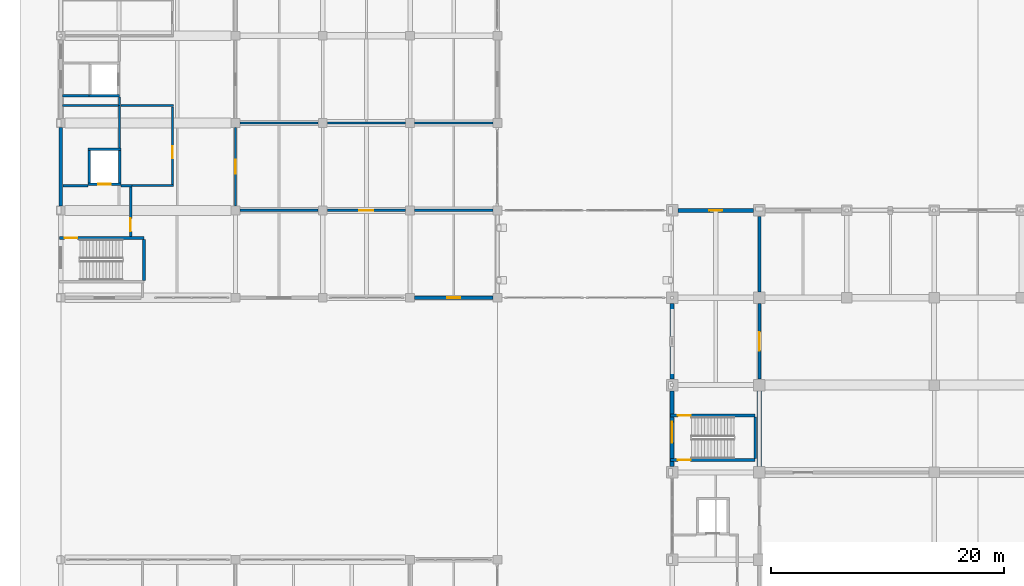
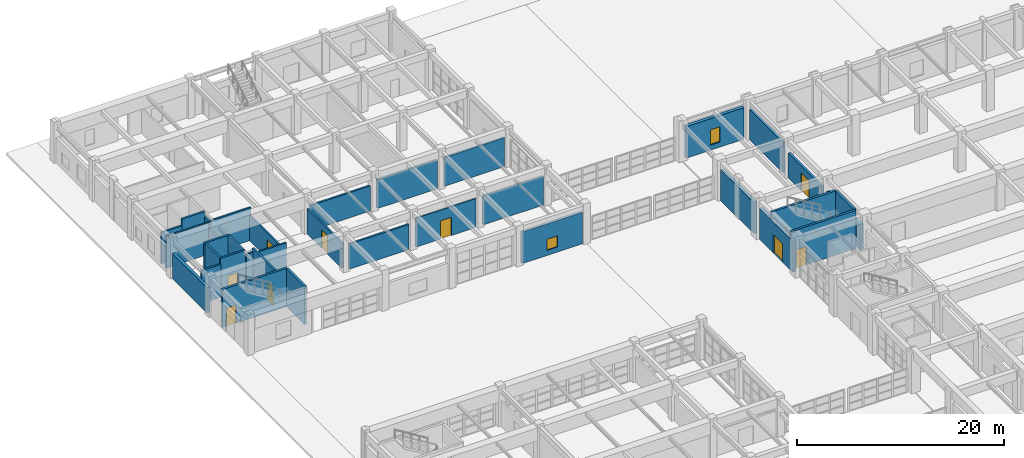
# One storey, part 90 of 122: 35 walls, 10 doors, 2 windows, 12 openings.
"""IFC4 building model written with IfcOpenShell, lengths in metres."""

import ifcopenshell
import ifcopenshell.guid

model = None  # the IFC model being written
_history = None  # IfcOwnerHistory: only IFC2X3 demands one
_inside = {}  # id of a spatial element -> (the spatial element, [elements in it])
_under = {}  # id of a project, library or spatial element -> (it, [spatial elements below it])
_declared = {}  # id of a project -> (the project, [libraries it declares])
_typed = {}  # id of a type object -> (the type object, [elements of that type])
_made_of = {}  # id of a material, layer set ... -> (it, [elements and type objects made of it])


def new_model(schema):
    """Start an empty IFC model of exactly this schema.

    Asked for "IFC4X3", IfcOpenShell would pick the latest addendum, in which some entities
    have other attributes; the version numbers below select the first issue.
    IFC2X3 requires an IfcOwnerHistory on every rooted entity: one is made here for all.
    """
    global model, _history
    if schema == "IFC4X3":
        model = ifcopenshell.file(schema_version=(4, 3, 0, 0))
    else:
        model = ifcopenshell.file(schema=schema)
    _inside.clear()
    _under.clear()
    _declared.clear()
    _typed.clear()
    _made_of.clear()
    _history = None
    if model.schema == "IFC2X3":
        org = make("IfcOrganization", Name="unknown")
        user = make(
            "IfcPersonAndOrganization",
            ThePerson=make("IfcPerson", FamilyName="unknown"),
            TheOrganization=org,
        )
        app = make(
            "IfcApplication",
            ApplicationDeveloper=org,
            Version="unknown",
            ApplicationFullName="unknown",
            ApplicationIdentifier="unknown",
        )
        _history = make(
            "IfcOwnerHistory",
            OwningUser=user,
            OwningApplication=app,
            ChangeAction="ADDED",
            CreationDate=0,
        )
    return model


def make(cls, **values):
    """One entity of the class cls with the attributes given. An attribute that is None is left unset."""
    return model.create_entity(
        cls, **{name: value for name, value in values.items() if value is not None}
    )


def rooted(cls, **values):
    """An entity with a GlobalId (a new one), such as an element, a storey or a relation."""
    return make(cls, GlobalId=ifcopenshell.guid.new(), OwnerHistory=_history, **values)


def si_unit(unit_type, name, prefix=None):
    """IfcSIUnit, for example si_unit("LENGTHUNIT", "METRE", prefix="MILLI")."""
    return make("IfcSIUnit", UnitType=unit_type, Prefix=prefix, Name=name)


def assignment(units):
    """IfcUnitAssignment: the units of a project."""
    return None if units is None else make("IfcUnitAssignment", Units=units)


def point(xyz):
    """IfcCartesianPoint."""
    return None if xyz is None else make("IfcCartesianPoint", Coordinates=xyz)


def direction(xyz):
    """IfcDirection."""
    return None if xyz is None else make("IfcDirection", DirectionRatios=xyz)


def frame(location, z_axis=None, x_axis=None):
    """IfcAxis2Placement3D, a coordinate frame: its origin and axes. An axis left out is left unset."""
    return make(
        "IfcAxis2Placement3D",
        Location=point(location),
        Axis=direction(z_axis),
        RefDirection=direction(x_axis),
    )


def frame_2d(location, x_axis=None):
    """IfcAxis2Placement2D, a coordinate frame in the plane: its origin and x axis."""
    return make(
        "IfcAxis2Placement2D", Location=point(location), RefDirection=direction(x_axis)
    )


def origin():
    """The frame at (0, 0, 0) with its axes left unset."""
    return frame((0.0, 0.0, 0.0))


def place(relative_to, where):
    """IfcLocalPlacement: puts the frame where relative to a parent placement (None: the world)."""
    return make(
        "IfcLocalPlacement", PlacementRelTo=relative_to, RelativePlacement=where
    )


def context(
    kind, dimensions, precision=None, world=None, true_north=None, identifier=None
):
    """IfcGeometricRepresentationContext, for example the 3D "Model" context."""
    return make(
        "IfcGeometricRepresentationContext",
        ContextIdentifier=identifier,
        ContextType=kind,
        CoordinateSpaceDimension=dimensions,
        Precision=precision,
        WorldCoordinateSystem=world,
        TrueNorth=true_north,
    )


def subcontext(parent, identifier, kind, view, scale=None):
    """IfcGeometricRepresentationSubContext, for example "Body" below "Model"."""
    return make(
        "IfcGeometricRepresentationSubContext",
        ContextIdentifier=identifier,
        ContextType=kind,
        ParentContext=parent,
        TargetScale=scale,
        TargetView=view,
    )


def project(units=None, contexts=None):
    """IfcProject with its units and contexts."""
    return rooted(
        "IfcProject",
        Name="project",
        RepresentationContexts=contexts,
        UnitsInContext=assignment(units),
    )


def spatial(cls, under=None, at=None, **own):
    """A site, building, storey or space (cls), placed at a placement, below another one or the project."""
    s = rooted(cls, ObjectPlacement=at, **own)
    if under is not None:
        _under.setdefault(under.id(), (under, []))[1].append(s)
    return s


def profile(cls, at=None, kind="AREA", **sizes):
    """A parametric profile (cls). Its sizes go by their IFC names, for example OverallWidth=200.0."""
    return make(cls, ProfileType=kind, Position=at, **sizes)


def rectangle(**sizes):
    """IfcRectangleProfileDef."""
    return profile("IfcRectangleProfileDef", **sizes)


def extrude(swept, where, along, depth):
    """IfcExtrudedAreaSolid: the profile swept, set in the frame where, extruded along a direction by depth."""
    return make(
        "IfcExtrudedAreaSolid",
        SweptArea=swept,
        Position=where,
        ExtrudedDirection=direction(along),
        Depth=depth,
    )


def shape(context_of_items, identifier, shape_type, items):
    """IfcShapeRepresentation: the items that make up one representation, for example the "Body"."""
    return make(
        "IfcShapeRepresentation",
        ContextOfItems=context_of_items,
        RepresentationIdentifier=identifier,
        RepresentationType=shape_type,
        Items=items,
    )


def material(Name=None, Category=None):
    """IfcMaterial."""
    return make("IfcMaterial", Name=Name, Category=Category)


def layer(
    of_material, thickness, ventilated=None, Name=None, Category=None, Priority=None
):
    """IfcMaterialLayer: one layer of a wall or slab, of a material (None: an air gap)."""
    return make(
        "IfcMaterialLayer",
        Material=of_material,
        LayerThickness=thickness,
        IsVentilated=ventilated,
        Name=Name,
        Category=Category,
        Priority=Priority,
    )


def layer_set(layers, Name=None):
    """IfcMaterialLayerSet."""
    return make("IfcMaterialLayerSet", MaterialLayers=layers, LayerSetName=Name)


def made_of(thing, what):
    """Note that an element or type object is made of a material, layer set ...; save() writes the relation."""
    if what is not None:
        _made_of.setdefault(what.id(), (what, []))[1].append(thing)
    return thing


def type_object(cls, material=None, **own):
    """A type object (cls), such as IfcWallType, which elements share."""
    return made_of(rooted(cls, **own), material)


def element(
    cls,
    number,
    at=None,
    inside=None,
    cuts=None,
    type_object=None,
    material=None,
    context=None,
    identifier="Body",
    shape_type=None,
    held_by="IfcProductDefinitionShape",
    body=None,
    shapes=None,
    **own,
):
    """One element of the class cls, such as IfcWall. Its Tag is "e" and its number.

    at: its placement. inside: the storey or other place that contains it. cuts: it is an
    opening in that element (IfcRelVoidsElement). A single representation is given by context,
    identifier, shape_type and body (its items); several are given by shapes. held_by: the class
    of the entity that holds the representations. save() writes the other relations.
    """
    e = rooted(cls, Tag="e%d" % number, ObjectPlacement=at, **own)
    if body is not None:
        shapes = [shape(context, identifier, shape_type, body)]
    if shapes is not None:
        e.Representation = make(held_by, Representations=shapes)
    if inside is not None:
        _inside.setdefault(inside.id(), (inside, []))[1].append(e)
    if cuts is not None:
        rooted(
            "IfcRelVoidsElement", RelatingBuildingElement=cuts, RelatedOpeningElement=e
        )
    if type_object is not None:
        _typed.setdefault(type_object.id(), (type_object, []))[1].append(e)
    return made_of(e, material)


def fill(opening, filler):
    """IfcRelFillsElement: the door or window that sits in an opening."""
    return rooted(
        "IfcRelFillsElement",
        RelatingOpeningElement=opening,
        RelatedBuildingElement=filler,
    )


def aggregate(whole, parts):
    """IfcRelAggregates: a whole, such as a stair, and the parts it consists of."""
    return rooted("IfcRelAggregates", RelatingObject=whole, RelatedObjects=parts)


def save(model, path):
    """Write the relations noted so far, then the file.

    IfcRelAggregates (storeys below a building ...), IfcRelContainedInSpatialStructure (elements
    in a storey), IfcRelDefinesByType, IfcRelAssociatesMaterial and IfcRelDeclares: one each for
    every whole, place, type object, material and project.
    """
    for whole, parts in _under.values():
        aggregate(whole, parts)
    for where, things in _inside.values():
        rooted(
            "IfcRelContainedInSpatialStructure",
            RelatedElements=things,
            RelatingStructure=where,
        )
    for kind, things in _typed.values():
        rooted("IfcRelDefinesByType", RelatedObjects=things, RelatingType=kind)
    for what, things in _made_of.values():
        rooted("IfcRelAssociatesMaterial", RelatedObjects=things, RelatingMaterial=what)
    for by, libraries in _declared.values():
        rooted("IfcRelDeclares", RelatingContext=by, RelatedDefinitions=libraries)
    model.write(path)


model = new_model("IFC4")

# Units and contexts
model_context = context("Model", 3, precision=1e-05, world=origin(), true_north=direction((0.0, 1.0)))
body_context = subcontext(model_context, "Body", "Model", "MODEL_VIEW")
ifc_project = project(units=[si_unit("LENGTHUNIT", "METRE"), si_unit("AREAUNIT", "SQUARE_METRE"), si_unit("VOLUMEUNIT", "CUBIC_METRE"), si_unit("PLANEANGLEUNIT", "RADIAN"), si_unit("MASSUNIT", "GRAM", prefix="KILO")], contexts=[model_context])

# Site, building, storey
site_placement = place(None, origin())
site = spatial("IfcSite", under=ifc_project, at=site_placement, CompositionType="ELEMENT")
building_placement = place(site_placement, origin())
building = spatial("IfcBuilding", under=site, at=building_placement, Name="Qasida Concert Hall", CompositionType="ELEMENT")
storey_placement = place(building_placement, origin())
storey = spatial("IfcBuildingStorey", under=building, at=storey_placement, Name="L00", CompositionType="ELEMENT", Elevation=0.0)

# Wall
ifc_material_1 = material(Name="Concrete C40/50", Category="concrete")
ifc_layer_1 = layer(ifc_material_1, 0.219970703125, Name="Concrete C40/50")
ifc_layer_set_1 = layer_set([ifc_layer_1], Name="Concrete C40/50")
wall_type_1 = type_object("IfcWallType", Name="WL-CW-220", PredefinedType="SOLIDWALL", material=ifc_layer_set_1)
wall_1_placement = place(storey_placement, frame((2.43994140625, 92.35009765625, 0.0), z_axis=(0.0, 0.0, 1.0), x_axis=(1.0, 0.0, 0.0)))
element("IfcWall", 1, at=wall_1_placement, inside=storey, type_object=wall_type_1, Name="L00 LF-07 lift shaft wall S", PredefinedType="SOLIDWALL", context=body_context, shape_type="SweptSolid", body=[
    extrude(rectangle(XDim=2.6201171875, YDim=0.219970703125, at=frame_2d((1.31005859375, 0.0))), origin(), (0.0, 0.0, 1.0), 4.5),
])

# Wall, opening, door
wall_2_placement = place(storey_placement, frame((2.340087890625, 84.75, 0.0), z_axis=(0.0, 0.0, 1.0), x_axis=(1.0, 0.0, 0.0)))
wall_2 = element("IfcWall", 2, at=wall_2_placement, inside=storey, type_object=wall_type_1, Name="L00 LF-08 lift shaft wall S", PredefinedType="SOLIDWALL", context=body_context, shape_type="SweptSolid", body=[
    extrude(rectangle(XDim=2.81982421875, YDim=0.219970703125, at=frame_2d((1.409912109375, 0.0))), origin(), (0.0, 0.0, 1.0), 4.5),
])
opening_1_placement = place(wall_2_placement, frame((0.860107421875, 0.0, 0.0)))
opening_1 = element("IfcOpeningElement", 3, at=opening_1_placement, cuts=wall_2, Name="Opening LD-110", PredefinedType="OPENING", context=body_context, shape_type="SweptSolid", body=[
    extrude(rectangle(XDim=1.10009765625, YDim=2.14990234375, at=frame_2d((0.550048828125, 1.074951171875))), frame((0.0, 0.119873046875, 0.0), z_axis=(0.0, -1.0, 0.0), x_axis=(1.0, 0.0, 0.0)), (0.0, 0.0, 1.0), 0.239990234375),
])
ifc_material_2 = material(Name="Firefighting lift sliding landing door", Category="steel")
door_type_1 = type_object("IfcDoorType", Name="LD-110", OperationType="SLIDING_TO_LEFT", PredefinedType="DOOR", material=ifc_material_2)
door_1_placement = place(opening_1_placement, origin())
door_1 = element("IfcDoor", 4, at=door_1_placement, inside=storey, type_object=door_type_1, Name="Lift landing door LF-08 L00", OperationType="SLIDING_TO_LEFT", OverallHeight=2.14990234375, OverallWidth=1.10009765625, PredefinedType="DOOR", context=body_context, shape_type="SweptSolid", body=[
    extrude(rectangle(XDim=1.10009765625, YDim=2.14990234375, at=frame_2d((0.550048828125, 1.074951171875))), frame((0.0, 0.02490234375, 0.0), z_axis=(0.0, -1.0, 0.0), x_axis=(1.0, 0.0, 0.0)), (0.0, 0.0, 1.0), 0.050048828125),
])
fill(opening_1, door_1)

# Walls
wall_3_placement = place(storey_placement, frame((2.340087890625, 87.75, 0.0), z_axis=(0.0, 0.0, 1.0), x_axis=(1.0, 0.0, 0.0)))
element("IfcWall", 5, at=wall_3_placement, inside=storey, type_object=wall_type_1, Name="L00 LF-08 lift shaft wall N", PredefinedType="SOLIDWALL", context=body_context, shape_type="SweptSolid", body=[
    extrude(rectangle(XDim=2.81982421875, YDim=0.219970703125, at=frame_2d((1.409912109375, 0.0))), origin(), (0.0, 0.0, 1.0), 4.5),
])
for number, where, z_axis, x_axis, name in (
    (6, (2.449951171875, 84.860107421875, 0.0), (0.0, 0.0, 1.0), (0.0, 1.0, 0.0), "L00 LF-08 lift shaft wall W"),
    (7, (5.050048828125, 84.860107421875, 0.0), (0.0, 0.0, 1.0), (0.0, 1.0, 0.0), "L00 LF-08 lift shaft wall E"),
):
    element("IfcWall", number, at=place(storey_placement, frame(where, z_axis=z_axis, x_axis=x_axis)), inside=storey, type_object=wall_type_1, Name=name, PredefinedType="SOLIDWALL", context=body_context, shape_type="SweptSolid", body=[
        extrude(rectangle(XDim=2.77978515625, YDim=0.219970703125, at=frame_2d((1.389892578125, 0.0))), origin(), (0.0, 0.0, 1.0), 4.5),
    ])

# Wall, opening, door
wall_4_placement = place(storey_placement, frame((6.0, 80.260009765625, 0.0), z_axis=(0.0, 0.0, 1.0), x_axis=(0.0, 1.0, 0.0)))
wall_4 = element("IfcWall", 8, at=wall_4_placement, inside=storey, type_object=wall_type_1, Name="L00 LF-08 firefighting lobby wall", PredefinedType="SOLIDWALL", context=body_context, shape_type="SweptSolid", body=[
    extrude(rectangle(XDim=4.369873046875, YDim=0.219970703125, at=frame_2d((2.18505859375, 0.0))), origin(), (0.0, 0.0, 1.0), 4.5),
])
opening_2_placement = place(wall_4_placement, frame((0.449951171875, 0.0, 0.0)))
opening_2 = element("IfcOpeningElement", 9, at=opening_2_placement, cuts=wall_4, Name="Opening FD-110", PredefinedType="OPENING", context=body_context, shape_type="SweptSolid", body=[
    extrude(rectangle(XDim=1.10009765625, YDim=2.14990234375, at=frame_2d((0.550048828125, 1.074951171875))), frame((0.0, 0.119873046875, 0.0), z_axis=(0.0, -1.0, 0.0), x_axis=(1.0, 0.0, 0.0)), (0.0, 0.0, 1.0), 0.239990234375),
])
ifc_material_3 = material(Name="Steel fire-rated stair/lobby door set", Category="steel")
door_type_2 = type_object("IfcDoorType", Name="FD-110", OperationType="NOTDEFINED", PredefinedType="DOOR", material=ifc_material_3)
door_2_placement = place(opening_2_placement, origin())
door_2 = element("IfcDoor", 10, at=door_2_placement, inside=storey, type_object=door_type_2, Name="L00 LF-08 firefighting lobby fire door", OperationType="SINGLE_SWING_LEFT", OverallHeight=2.14990234375, OverallWidth=1.10009765625, PredefinedType="DOOR", context=body_context, shape_type="SweptSolid", body=[
    extrude(rectangle(XDim=1.10009765625, YDim=2.14990234375, at=frame_2d((0.550048828125, 1.074951171875))), frame((0.0, 0.02490234375, 0.0), z_axis=(0.0, -1.0, 0.0), x_axis=(1.0, 0.0, 0.0)), (0.0, 0.0, 1.0), 0.050048828125),
])
fill(opening_2, door_2)

ifc_layer_2 = layer(ifc_material_1, 0.25, Name="Concrete C40/50")
ifc_layer_set_2 = layer_set([ifc_layer_2], Name="Concrete C40/50")
wall_type_2 = type_object("IfcWallType", Name="WL-CW-250", PredefinedType="SOLIDWALL", material=ifc_layer_set_2)
wall_5_placement = place(storey_placement, frame((-0.1201171875, 80.125, 0.0), z_axis=(0.0, 0.0, 1.0), x_axis=(1.0, 0.0, 0.0)))
wall_5 = element("IfcWall", 11, at=wall_5_placement, inside=storey, type_object=wall_type_2, Name="L00 ST-05 stairwell wall N", PredefinedType="SOLIDWALL", context=body_context, shape_type="SweptSolid", body=[
    extrude(rectangle(XDim=7.260009765625, YDim=0.25, at=frame_2d((3.6298828125, 0.0))), origin(), (0.0, 0.0, 1.0), 4.5),
])
opening_3_placement = place(wall_5_placement, frame((0.449951171875, 0.0, 0.0)))
opening_3 = element("IfcOpeningElement", 12, at=opening_3_placement, cuts=wall_5, Name="Opening FD-110", PredefinedType="OPENING", context=body_context, shape_type="SweptSolid", body=[
    extrude(rectangle(XDim=1.10009765625, YDim=2.14990234375, at=frame_2d((0.550048828125, 1.074951171875))), frame((0.0, 0.135009765625, 0.0), z_axis=(0.0, -1.0, 0.0), x_axis=(1.0, 0.0, 0.0)), (0.0, 0.0, 1.0), 0.27001953125),
])
door_3_placement = place(opening_3_placement, origin())
door_3 = element("IfcDoor", 13, at=door_3_placement, inside=storey, type_object=door_type_2, Name="L00 ST-05 rated stair door", OperationType="SINGLE_SWING_RIGHT", OverallHeight=2.14990234375, OverallWidth=1.10009765625, PredefinedType="DOOR", context=body_context, shape_type="SweptSolid", body=[
    extrude(rectangle(XDim=1.10009765625, YDim=2.14990234375, at=frame_2d((0.550048828125, 1.074951171875))), frame((0.0, 0.02490234375, 0.0), z_axis=(0.0, -1.0, 0.0), x_axis=(1.0, 0.0, 0.0)), (0.0, 0.0, 1.0), 0.050048828125),
])
fill(opening_3, door_3)

# Wall
wall_6_placement = place(storey_placement, frame((7.14501953125, 76.5, 0.0), z_axis=(0.0, 0.0, 1.0), x_axis=(0.0, 1.0, 0.0)))
element("IfcWall", 14, at=wall_6_placement, inside=storey, type_object=wall_type_2, Name="L00 ST-05 stairwell wall E", PredefinedType="SOLIDWALL", context=body_context, shape_type="SweptSolid", body=[
    extrude(rectangle(XDim=3.5, YDim=0.25, at=frame_2d((1.75, 0.0))), origin(), (0.0, 0.0, 1.0), 4.5),
])

# Wall, opening, door
wall_7_placement = place(storey_placement, frame((52.3798828125, 61.074951171875, 0.0), z_axis=(0.0, 0.0, 1.0), x_axis=(1.0, 0.0, 0.0)))
wall_7 = element("IfcWall", 15, at=wall_7_placement, inside=storey, type_object=wall_type_2, Name="L00 ST-11 stairwell wall S", PredefinedType="SOLIDWALL", context=body_context, shape_type="SweptSolid", body=[
    extrude(rectangle(XDim=7.260009765625, YDim=0.25, at=frame_2d((3.6298828125, 0.0))), origin(), (0.0, 0.0, 1.0), 4.5),
])
opening_4_placement = place(wall_7_placement, frame((0.6201171875, 0.0, 0.0)))
opening_4 = element("IfcOpeningElement", 16, at=opening_4_placement, cuts=wall_7, Name="Opening FD-110", PredefinedType="OPENING", context=body_context, shape_type="SweptSolid", body=[
    extrude(rectangle(XDim=1.10009765625, YDim=2.14990234375, at=frame_2d((0.550048828125, 1.074951171875))), frame((0.0, 0.135009765625, 0.0), z_axis=(0.0, -1.0, 0.0), x_axis=(1.0, 0.0, 0.0)), (0.0, 0.0, 1.0), 0.27001953125),
])
door_4_placement = place(opening_4_placement, origin())
door_4 = element("IfcDoor", 17, at=door_4_placement, inside=storey, type_object=door_type_2, Name="L00 ST-11 rated stair door", OperationType="SINGLE_SWING_LEFT", OverallHeight=2.14990234375, OverallWidth=1.10009765625, PredefinedType="DOOR", context=body_context, shape_type="SweptSolid", body=[
    extrude(rectangle(XDim=1.10009765625, YDim=2.14990234375, at=frame_2d((0.550048828125, 1.074951171875))), frame((0.0, 0.02490234375, 0.0), z_axis=(0.0, -1.0, 0.0), x_axis=(1.0, 0.0, 0.0)), (0.0, 0.0, 1.0), 0.050048828125),
])
fill(opening_4, door_4)

wall_8_placement = place(storey_placement, frame((52.3798828125, 64.885009765625, 0.0), z_axis=(0.0, 0.0, 1.0), x_axis=(1.0, 0.0, 0.0)))
wall_8 = element("IfcWall", 18, at=wall_8_placement, inside=storey, type_object=wall_type_2, Name="L00 ST-11 stairwell wall N", PredefinedType="SOLIDWALL", context=body_context, shape_type="SweptSolid", body=[
    extrude(rectangle(XDim=7.260009765625, YDim=0.25, at=frame_2d((3.6298828125, 0.0))), origin(), (0.0, 0.0, 1.0), 4.5),
])
opening_5_placement = place(wall_8_placement, frame((0.6201171875, 0.0, 0.0)))
opening_5 = element("IfcOpeningElement", 19, at=opening_5_placement, cuts=wall_8, Name="Opening FD-110", PredefinedType="OPENING", context=body_context, shape_type="SweptSolid", body=[
    extrude(rectangle(XDim=1.10009765625, YDim=2.14990234375, at=frame_2d((0.550048828125, 1.074951171875))), frame((0.0, 0.135009765625, 0.0), z_axis=(0.0, -1.0, 0.0), x_axis=(1.0, 0.0, 0.0)), (0.0, 0.0, 1.0), 0.27001953125),
])
door_5_placement = place(opening_5_placement, frame((1.10009765625, 0.0, 0.0), z_axis=(0.0, 0.0, 1.0), x_axis=(-1.0, 0.0, 0.0)))
door_5 = element("IfcDoor", 20, at=door_5_placement, inside=storey, type_object=door_type_2, Name="L00 ST-11 rated stair door", OperationType="SINGLE_SWING_RIGHT", OverallHeight=2.14990234375, OverallWidth=1.10009765625, PredefinedType="DOOR", context=body_context, shape_type="SweptSolid", body=[
    extrude(rectangle(XDim=1.10009765625, YDim=2.14990234375, at=frame_2d((0.550048828125, 1.074951171875))), frame((0.0, 0.02490234375, 0.0), z_axis=(0.0, -1.0, 0.0), x_axis=(1.0, 0.0, 0.0)), (0.0, 0.0, 1.0), 0.050048828125),
])
fill(opening_5, door_5)

# Wall
wall_9_placement = place(storey_placement, frame((59.64501953125, 61.199951171875, 0.0), z_axis=(0.0, 0.0, 1.0), x_axis=(0.0, 1.0, 0.0)))
element("IfcWall", 21, at=wall_9_placement, inside=storey, type_object=wall_type_2, Name="L00 ST-11 stairwell wall E", PredefinedType="SOLIDWALL", context=body_context, shape_type="SweptSolid", body=[
    extrude(rectangle(XDim=3.56005859375, YDim=0.25, at=frame_2d((1.780029296875, 0.0))), origin(), (0.0, 0.0, 1.0), 4.5),
])

# Wall, opening, window
ifc_material_4 = material(Name="Precast concrete C40/50", Category="concrete")
ifc_layer_3 = layer(ifc_material_4, 0.280029296875, Name="Precast concrete C40/50")
ifc_layer_set_3 = layer_set([ifc_layer_3], Name="Precast concrete C40/50")
wall_type_3 = type_object("IfcWallType", Name="WL-EW-280", PredefinedType="SOLIDWALL", material=ifc_layer_set_3)
wall_10_placement = place(storey_placement, frame((30.385009765625, 75.0, 0.0), z_axis=(0.0, 0.0, 1.0), x_axis=(1.0, 0.0, 0.0)))
wall_10 = element("IfcWall", 22, at=wall_10_placement, inside=storey, type_object=wall_type_3, Name="L00 exterior wall EW-280 0236", PredefinedType="SOLIDWALL", context=body_context, shape_type="SweptSolid", body=[
    extrude(rectangle(XDim=6.72998046875, YDim=0.280029296875, at=frame_2d((3.364990234375, 0.0))), origin(), (0.0, 0.0, 1.0), 3.719970703125),
])
opening_6_placement = place(wall_10_placement, frame((2.7900390625, 0.0, 0.60009765625)))
opening_6 = element("IfcOpeningElement", 23, at=opening_6_placement, cuts=wall_10, Name="Opening WN-09", PredefinedType="OPENING", context=body_context, shape_type="SweptSolid", body=[
    extrude(rectangle(XDim=1.14990234375, YDim=1.300048828125, at=frame_2d((0.574951171875, 0.64990234375))), frame((0.0, 0.14990234375, 0.0), z_axis=(0.0, -1.0, 0.0), x_axis=(1.0, 0.0, 0.0)), (0.0, 0.0, 1.0), 0.300048828125),
])
ifc_material_5 = material(Name="Bronze-anodized aluminium frame with acoustic low-E glazing", Category="aluminium")
window_type_1 = type_object("IfcWindowType", Name="WN-09", PartitioningType="SINGLE_PANEL", PredefinedType="WINDOW", material=ifc_material_5)
window_1_placement = place(opening_6_placement, origin())
window_1 = element("IfcWindow", 24, at=window_1_placement, inside=storey, type_object=window_type_1, Name="L00 window WN-09 0115", OverallHeight=1.300048828125, OverallWidth=1.14990234375, PartitioningType="SINGLE_PANEL", PredefinedType="WINDOW", context=body_context, shape_type="SweptSolid", body=[
    extrude(rectangle(XDim=1.14990234375, YDim=1.300048828125, at=frame_2d((0.574951171875, 0.64990234375))), frame((0.0, 0.030029296875, 0.0), z_axis=(0.0, -1.0, 0.0), x_axis=(1.0, 0.0, 0.0)), (0.0, 0.0, 1.0), 0.06005859375),
])
fill(opening_6, window_1)

# Wall
ifc_layer_4 = layer(ifc_material_4, 0.320068359375, Name="Precast concrete C40/50")
ifc_layer_set_4 = layer_set([ifc_layer_4], Name="Precast concrete C40/50")
wall_type_4 = type_object("IfcWallType", Name="WL-EW-320", PredefinedType="SOLIDWALL", material=ifc_layer_set_4)
wall_11_placement = place(storey_placement, frame((0.0, 82.885009765625, 0.0), z_axis=(0.0, 0.0, 1.0), x_axis=(0.0, 1.0, 0.0)))
element("IfcWall", 25, at=wall_11_placement, inside=storey, type_object=wall_type_4, Name="L00 exterior wall EW-320 0238", PredefinedType="SOLIDWALL", context=body_context, shape_type="SweptSolid", body=[
    extrude(rectangle(XDim=6.72998046875, YDim=0.320068359375, at=frame_2d((3.364990234375, 0.0))), origin(), (0.0, 0.0, 1.0), 2.969970703125),
])

# Wall, opening, door
ifc_layer_5 = layer(ifc_material_4, 0.360107421875, Name="Precast concrete C40/50")
ifc_layer_set_5 = layer_set([ifc_layer_5], Name="Precast concrete C40/50")
wall_type_5 = type_object("IfcWallType", Name="WL-EW-360", PredefinedType="SOLIDWALL", material=ifc_layer_set_5)
wall_12_placement = place(storey_placement, frame((52.5, 60.514892578125, 0.0), z_axis=(0.0, 0.0, 1.0), x_axis=(0.0, 1.0, 0.0)))
wall_12 = element("IfcWall", 26, at=wall_12_placement, inside=storey, type_object=wall_type_5, Name="L00 exterior wall EW-360 0020", PredefinedType="SOLIDWALL", context=body_context, shape_type="SweptSolid", body=[
    extrude(rectangle(XDim=6.47021484375, YDim=0.360107421875, at=frame_2d((3.235107421875, 0.0))), origin(), (0.0, 0.0, 1.0), 3.669921875),
])
opening_7_placement = place(wall_12_placement, frame((2.02197265625, 0.0, 0.0)))
opening_7 = element("IfcOpeningElement", 27, at=opening_7_placement, cuts=wall_12, Name="Opening ED-180", PredefinedType="OPENING", context=body_context, shape_type="SweptSolid", body=[
    extrude(rectangle(XDim=1.800048828125, YDim=2.199951171875, at=frame_2d((0.89990234375, 1.10009765625))), frame((0.0, 0.18994140625, 0.0), z_axis=(0.0, -1.0, 0.0), x_axis=(1.0, 0.0, 0.0)), (0.0, 0.0, 1.0), 0.380126953125),
])
ifc_material_6 = material(Name="Patinated architectural bronze and laminated safety glass", Category="glass")
door_type_3 = type_object("IfcDoorType", Name="ED-180", OperationType="NOTDEFINED", PredefinedType="DOOR", material=ifc_material_6)
door_6_placement = place(opening_7_placement, origin())
door_6 = element("IfcDoor", 28, at=door_6_placement, inside=storey, type_object=door_type_3, Name="Exit stair ST-11 final discharge door", OperationType="SINGLE_SWING_RIGHT", OverallHeight=2.199951171875, OverallWidth=1.800048828125, PredefinedType="DOOR", context=body_context, shape_type="SweptSolid", body=[
    extrude(rectangle(XDim=1.800048828125, YDim=2.199951171875, at=frame_2d((0.89990234375, 1.10009765625))), frame((0.0, 0.02490234375, 0.0), z_axis=(0.0, -1.0, 0.0), x_axis=(1.0, 0.0, 0.0)), (0.0, 0.0, 1.0), 0.050048828125),
])
fill(opening_7, door_6)

# Wall
wall_13_placement = place(storey_placement, frame((52.5, 68.014892578125, 0.0), z_axis=(0.0, 0.0, 1.0), x_axis=(0.0, 1.0, 0.0)))
element("IfcWall", 29, at=wall_13_placement, inside=storey, type_object=wall_type_5, Name="L00 exterior wall EW-360 0022", PredefinedType="SOLIDWALL", context=body_context, shape_type="SweptSolid", body=[
    extrude(rectangle(XDim=6.47021484375, YDim=0.360107421875, at=frame_2d((3.235107421875, 0.0))), origin(), (0.0, 0.0, 1.0), 3.669921875),
])

# Wall, opening, window
wall_14_placement = place(storey_placement, frame((53.014892578125, 82.5, 0.0), z_axis=(0.0, 0.0, 1.0), x_axis=(1.0, 0.0, 0.0)))
wall_14 = element("IfcWall", 30, at=wall_14_placement, inside=storey, type_object=wall_type_5, Name="L00 exterior wall EW-360 0024", PredefinedType="SOLIDWALL", context=body_context, shape_type="SweptSolid", body=[
    extrude(rectangle(XDim=6.47021484375, YDim=0.360107421875, at=frame_2d((3.235107421875, 0.0))), origin(), (0.0, 0.0, 1.0), 3.719970703125),
])
opening_8_placement = place(wall_14_placement, frame((2.68505859375, 0.0, 0.60009765625)))
opening_8 = element("IfcOpeningElement", 31, at=opening_8_placement, cuts=wall_14, Name="Opening WN-01", PredefinedType="OPENING", context=body_context, shape_type="SweptSolid", body=[
    extrude(rectangle(XDim=1.10009765625, YDim=1.800048828125, at=frame_2d((0.550048828125, 0.89990234375))), frame((0.0, 0.18994140625, 0.0), z_axis=(0.0, -1.0, 0.0), x_axis=(1.0, 0.0, 0.0)), (0.0, 0.0, 1.0), 0.380126953125),
])
window_type_2 = type_object("IfcWindowType", Name="WN-01", PartitioningType="SINGLE_PANEL", PredefinedType="WINDOW", material=ifc_material_5)
window_2_placement = place(opening_8_placement, origin())
window_2 = element("IfcWindow", 32, at=window_2_placement, inside=storey, type_object=window_type_2, Name="L00 window WN-01 0005", OverallHeight=1.800048828125, OverallWidth=1.10009765625, PartitioningType="SINGLE_PANEL", PredefinedType="WINDOW", context=body_context, shape_type="SweptSolid", body=[
    extrude(rectangle(XDim=1.10009765625, YDim=1.800048828125, at=frame_2d((0.550048828125, 0.89990234375))), frame((0.0, 0.030029296875, 0.0), z_axis=(0.0, -1.0, 0.0), x_axis=(1.0, 0.0, 0.0)), (0.0, 0.0, 1.0), 0.06005859375),
])
fill(opening_8, window_2)

# Walls
ifc_material_7 = material(Name="Acoustic metal-stud gypsum partition", Category="gypsum")
ifc_layer_6 = layer(ifc_material_7, 0.179931640625, Name="Acoustic metal-stud gypsum partition")
ifc_layer_set_6 = layer_set([ifc_layer_6], Name="Acoustic metal-stud gypsum partition")
wall_type_6 = type_object("IfcWallType", Name="WL-PW-180", PredefinedType="PARTITIONING", material=ifc_layer_set_6)
wall_15_placement = place(storey_placement, frame((5.050048828125, 87.8740234375, 0.0), z_axis=(0.0, 0.0, 1.0), x_axis=(0.0, 1.0, 0.0)))
element("IfcWall", 33, at=wall_15_placement, inside=storey, type_object=wall_type_6, Name="L00 partition PW-180 0250", PredefinedType="PARTITIONING", context=body_context, shape_type="SweptSolid", body=[
    extrude(rectangle(XDim=3.6259765625, YDim=0.179931640625, at=frame_2d((1.81298828125, 0.0))), origin(), (0.0, 0.0, 1.0), 2.969970703125),
])
wall_16_placement = place(storey_placement, frame((6.1240234375, 84.6298828125, 0.0), z_axis=(0.0, 0.0, 1.0), x_axis=(1.0, 0.0, 0.0)))
element("IfcWall", 34, at=wall_16_placement, inside=storey, type_object=wall_type_6, Name="L00 partition PW-180 0251", PredefinedType="PARTITIONING", context=body_context, shape_type="SweptSolid", body=[
    extrude(rectangle(XDim=3.555908203125, YDim=0.179931640625, at=frame_2d((1.77783203125, 0.0))), origin(), (0.0, 0.0, 1.0), 3.8701171875),
])
wall_17_placement = place(storey_placement, frame((0.1640625, 91.5, 0.0), z_axis=(0.0, 0.0, 1.0), x_axis=(1.0, 0.0, 0.0)))
element("IfcWall", 35, at=wall_17_placement, inside=storey, type_object=wall_type_6, Name="L00 partition PW-180 0252", PredefinedType="PARTITIONING", context=body_context, shape_type="SweptSolid", body=[
    extrude(rectangle(XDim=4.781982421875, YDim=0.179931640625, at=frame_2d((2.39111328125, 0.0))), origin(), (0.0, 0.0, 1.0), 3.719970703125),
])
wall_18_placement = place(storey_placement, frame((5.154052734375, 91.5, 0.0), z_axis=(0.0, 0.0, 1.0), x_axis=(1.0, 0.0, 0.0)))
element("IfcWall", 36, at=wall_18_placement, inside=storey, type_object=wall_type_6, Name="L00 partition PW-180 0253", PredefinedType="PARTITIONING", context=body_context, shape_type="SweptSolid", body=[
    extrude(rectangle(XDim=4.52587890625, YDim=0.179931640625, at=frame_2d((2.262939453125, 0.0))), origin(), (0.0, 0.0, 1.0), 3.8701171875),
])

# Wall, opening, door
wall_19_placement = place(storey_placement, frame((9.60009765625, 84.73388671875, 0.0), z_axis=(0.0, 0.0, 1.0), x_axis=(0.0, 1.0, 0.0)))
wall_19 = element("IfcWall", 37, at=wall_19_placement, inside=storey, type_object=wall_type_6, Name="L00 partition PW-180 0254", PredefinedType="PARTITIONING", context=body_context, shape_type="SweptSolid", body=[
    extrude(rectangle(XDim=6.662109375, YDim=0.179931640625, at=frame_2d((3.3310546875, 0.0))), origin(), (0.0, 0.0, 1.0), 2.969970703125),
])
opening_9_placement = place(wall_19_placement, frame((2.240966796875, 0.0, 0.0)))
opening_9 = element("IfcOpeningElement", 38, at=opening_9_placement, cuts=wall_19, Name="Opening ID-105", PredefinedType="OPENING", context=body_context, shape_type="SweptSolid", body=[
    extrude(rectangle(XDim=1.050048828125, YDim=2.1201171875, at=frame_2d((0.52490234375, 1.06005859375))), frame((0.0, 0.099853515625, 0.0), z_axis=(0.0, -1.0, 0.0), x_axis=(1.0, 0.0, 0.0)), (0.0, 0.0, 1.0), 0.199951171875),
])
ifc_material_8 = material(Name="Quarter-sawn oak practice studio door", Category="wood")
door_type_4 = type_object("IfcDoorType", Name="ID-105", OperationType="NOTDEFINED", PredefinedType="DOOR", material=ifc_material_8)
door_7_placement = place(opening_9_placement, origin())
door_7 = element("IfcDoor", 39, at=door_7_placement, inside=storey, type_object=door_type_4, Name="L00 Soloist practice booth door", OperationType="SINGLE_SWING_RIGHT", OverallHeight=2.1201171875, OverallWidth=1.050048828125, PredefinedType="DOOR", context=body_context, shape_type="SweptSolid", body=[
    extrude(rectangle(XDim=1.050048828125, YDim=2.1201171875, at=frame_2d((0.52490234375, 1.06005859375))), frame((0.0, 0.02490234375, 0.0), z_axis=(0.0, -1.0, 0.0), x_axis=(1.0, 0.0, 0.0)), (0.0, 0.0, 1.0), 0.050048828125),
])
fill(opening_9, door_7)

# Walls
wall_20_placement = place(storey_placement, frame((0.1640625, 92.35009765625, 0.0), z_axis=(0.0, 0.0, 1.0), x_axis=(1.0, 0.0, 0.0)))
element("IfcWall", 40, at=wall_20_placement, inside=storey, type_object=wall_type_6, Name="L00 partition PW-180 0255", PredefinedType="PARTITIONING", context=body_context, shape_type="SweptSolid", body=[
    extrude(rectangle(XDim=2.27587890625, YDim=0.179931640625, at=frame_2d((1.137939453125, 0.0))), origin(), (0.0, 0.0, 1.0), 3.719970703125),
])
wall_21_placement = place(storey_placement, frame((5.050048828125, 91.5, 0.0), z_axis=(0.0, 0.0, 1.0), x_axis=(0.0, 1.0, 0.0)))
element("IfcWall", 41, at=wall_21_placement, inside=storey, type_object=wall_type_6, Name="L00 partition PW-180 0257", PredefinedType="PARTITIONING", context=body_context, shape_type="SweptSolid", body=[
    extrude(rectangle(XDim=0.72607421875, YDim=0.179931640625, at=frame_2d((0.363037109375, 0.0))), origin(), (0.0, 0.0, 1.0), 3.8701171875),
])
ifc_material_9 = material(Name="Acoustic gypsum block and mineral wool", Category="gypsum")
ifc_layer_7 = layer(ifc_material_9, 0.199951171875, Name="Acoustic gypsum block and mineral wool")
ifc_layer_set_7 = layer_set([ifc_layer_7], Name="Acoustic gypsum block and mineral wool")
wall_type_7 = type_object("IfcWallType", Name="WL-PW-200", PredefinedType="PARTITIONING", material=ifc_layer_set_7)
wall_22_placement = place(storey_placement, frame((0.179931640625, 84.6298828125, 0.0), z_axis=(0.0, 0.0, 1.0), x_axis=(1.0, 0.0, 0.0)))
element("IfcWall", 42, at=wall_22_placement, inside=storey, type_object=wall_type_7, Name="L00 LF-08 firefighting lobby return wall", PredefinedType="PARTITIONING", context=body_context, shape_type="SweptSolid", body=[
    extrude(rectangle(XDim=2.14501953125, YDim=0.199951171875, at=frame_2d((1.072509765625, 0.0))), origin(), (0.0, 0.0, 1.0), 3.8798828125),
])
wall_23_placement = place(storey_placement, frame((5.175048828125, 84.6298828125, 0.0), z_axis=(0.0, 0.0, 1.0), x_axis=(1.0, 0.0, 0.0)))
element("IfcWall", 43, at=wall_23_placement, inside=storey, type_object=wall_type_7, Name="L00 LF-08 firefighting lobby return wall", PredefinedType="PARTITIONING", context=body_context, shape_type="SweptSolid", body=[
    extrude(rectangle(XDim=0.93505859375, YDim=0.199951171875, at=frame_2d((0.467529296875, 0.0))), origin(), (0.0, 0.0, 1.0), 4.080078125),
])
wall_24_placement = place(storey_placement, frame((15.388916015625, 82.5, 0.0), z_axis=(0.0, 0.0, 1.0), x_axis=(1.0, 0.0, 0.0)))
element("IfcWall", 44, at=wall_24_placement, inside=storey, type_object=wall_type_7, Name="L00 partition PW-200 0265", PredefinedType="PARTITIONING", context=body_context, shape_type="SweptSolid", body=[
    extrude(rectangle(XDim=6.72216796875, YDim=0.199951171875, at=frame_2d((3.361083984375, 0.0))), origin(), (0.0, 0.0, 1.0), 2.969970703125),
])

# Wall, opening, door
wall_25_placement = place(storey_placement, frame((22.888916015625, 82.5, 0.0), z_axis=(0.0, 0.0, 1.0), x_axis=(1.0, 0.0, 0.0)))
wall_25 = element("IfcWall", 45, at=wall_25_placement, inside=storey, type_object=wall_type_7, Name="L00 partition PW-200 0266", PredefinedType="PARTITIONING", context=body_context, shape_type="SweptSolid", body=[
    extrude(rectangle(XDim=6.72216796875, YDim=0.199951171875, at=frame_2d((3.361083984375, 0.0))), origin(), (0.0, 0.0, 1.0), 3.419921875),
])
opening_10_placement = place(wall_25_placement, frame((2.760986328125, 0.0, 0.0)))
opening_10 = element("IfcOpeningElement", 46, at=opening_10_placement, cuts=wall_25, Name="Opening FD-120", PredefinedType="OPENING", context=body_context, shape_type="SweptSolid", body=[
    extrude(rectangle(XDim=1.199951171875, YDim=2.14990234375, at=frame_2d((0.60009765625, 1.074951171875))), frame((0.0, 0.10986328125, 0.0), z_axis=(0.0, -1.0, 0.0), x_axis=(1.0, 0.0, 0.0)), (0.0, 0.0, 1.0), 0.219970703125),
])
ifc_material_10 = material(Name="Steel fire-rated acoustic door set", Category="steel")
door_type_5 = type_object("IfcDoorType", Name="FD-120", OperationType="NOTDEFINED", PredefinedType="DOOR", material=ifc_material_10)
door_8_placement = place(opening_10_placement, origin())
door_8 = element("IfcDoor", 47, at=door_8_placement, inside=storey, type_object=door_type_5, Name="L00 Fire Command Centre bridge door", OperationType="SINGLE_SWING_LEFT", OverallHeight=2.14990234375, OverallWidth=1.199951171875, PredefinedType="DOOR", context=body_context, shape_type="SweptSolid", body=[
    extrude(rectangle(XDim=1.199951171875, YDim=2.14990234375, at=frame_2d((0.60009765625, 1.074951171875))), frame((0.0, 0.02490234375, 0.0), z_axis=(0.0, -1.0, 0.0), x_axis=(1.0, 0.0, 0.0)), (0.0, 0.0, 1.0), 0.050048828125),
])
fill(opening_10, door_8)

# Walls
wall_26_placement = place(storey_placement, frame((30.388916015625, 82.5, 0.0), z_axis=(0.0, 0.0, 1.0), x_axis=(1.0, 0.0, 0.0)))
element("IfcWall", 48, at=wall_26_placement, inside=storey, type_object=wall_type_7, Name="L00 partition PW-200 0267", PredefinedType="PARTITIONING", context=body_context, shape_type="SweptSolid", body=[
    extrude(rectangle(XDim=6.72216796875, YDim=0.199951171875, at=frame_2d((3.361083984375, 0.0))), origin(), (0.0, 0.0, 1.0), 3.419921875),
])
wall_27_placement = place(storey_placement, frame((15.388916015625, 90.0, 0.0), z_axis=(0.0, 0.0, 1.0), x_axis=(1.0, 0.0, 0.0)))
element("IfcWall", 49, at=wall_27_placement, inside=storey, type_object=wall_type_7, Name="L00 partition PW-200 0268", PredefinedType="PARTITIONING", context=body_context, shape_type="SweptSolid", body=[
    extrude(rectangle(XDim=6.72216796875, YDim=0.199951171875, at=frame_2d((3.361083984375, 0.0))), origin(), (0.0, 0.0, 1.0), 2.969970703125),
])
for number, where, z_axis, x_axis, name in (
    (50, (22.888916015625, 90.0, 0.0), (0.0, 0.0, 1.0), (1.0, 0.0, 0.0), "L00 partition PW-200 0269"),
    (51, (30.388916015625, 90.0, 0.0), (0.0, 0.0, 1.0), (1.0, 0.0, 0.0), "L00 partition PW-200 0270"),
):
    element("IfcWall", number, at=place(storey_placement, frame(where, z_axis=z_axis, x_axis=x_axis)), inside=storey, type_object=wall_type_7, Name=name, PredefinedType="PARTITIONING", context=body_context, shape_type="SweptSolid", body=[
        extrude(rectangle(XDim=6.72216796875, YDim=0.199951171875, at=frame_2d((3.361083984375, 0.0))), origin(), (0.0, 0.0, 1.0), 3.419921875),
    ])

# Wall, opening, door
wall_28_placement = place(storey_placement, frame((15.0, 82.888916015625, 0.0), z_axis=(0.0, 0.0, 1.0), x_axis=(0.0, 1.0, 0.0)))
wall_28 = element("IfcWall", 52, at=wall_28_placement, inside=storey, type_object=wall_type_7, Name="L00 partition PW-200 0276", PredefinedType="PARTITIONING", context=body_context, shape_type="SweptSolid", body=[
    extrude(rectangle(XDim=6.72216796875, YDim=0.199951171875, at=frame_2d((3.361083984375, 0.0))), origin(), (0.0, 0.0, 1.0), 2.969970703125),
])
opening_11_placement = place(wall_28_placement, frame((2.760986328125, 0.0, 0.0)))
opening_11 = element("IfcOpeningElement", 53, at=opening_11_placement, cuts=wall_28, Name="Opening FD-120", PredefinedType="OPENING", context=body_context, shape_type="SweptSolid", body=[
    extrude(rectangle(XDim=1.199951171875, YDim=2.14990234375, at=frame_2d((0.60009765625, 1.074951171875))), frame((0.0, 0.10986328125, 0.0), z_axis=(0.0, -1.0, 0.0), x_axis=(1.0, 0.0, 0.0)), (0.0, 0.0, 1.0), 0.219970703125),
])
door_9_placement = place(opening_11_placement, origin())
door_9 = element("IfcDoor", 54, at=door_9_placement, inside=storey, type_object=door_type_5, Name="L00 Fire Command Centre interior door", OperationType="SINGLE_SWING_LEFT", OverallHeight=2.14990234375, OverallWidth=1.199951171875, PredefinedType="DOOR", context=body_context, shape_type="SweptSolid", body=[
    extrude(rectangle(XDim=1.199951171875, YDim=2.14990234375, at=frame_2d((0.60009765625, 1.074951171875))), frame((0.0, 0.02490234375, 0.0), z_axis=(0.0, -1.0, 0.0), x_axis=(1.0, 0.0, 0.0)), (0.0, 0.0, 1.0), 0.050048828125),
])
fill(opening_11, door_9)

ifc_material_11 = material(Name="Double-stud acoustic gypsum and mineral wool", Category="gypsum")
ifc_layer_8 = layer(ifc_material_11, 0.239990234375, Name="Double-stud acoustic gypsum and mineral wool")
ifc_layer_set_8 = layer_set([ifc_layer_8], Name="Double-stud acoustic gypsum and mineral wool")
wall_type_8 = type_object("IfcWallType", Name="WL-PW-240", PredefinedType="PARTITIONING", material=ifc_layer_set_8)
wall_29_placement = place(storey_placement, frame((60.0, 68.013916015625, 0.0), z_axis=(0.0, 0.0, 1.0), x_axis=(0.0, 1.0, 0.0)))
wall_29 = element("IfcWall", 55, at=wall_29_placement, inside=storey, type_object=wall_type_8, Name="L00 partition PW-240 0421", PredefinedType="PARTITIONING", context=body_context, shape_type="SweptSolid", body=[
    extrude(rectangle(XDim=6.47216796875, YDim=0.239990234375, at=frame_2d((3.236083984375, 0.0))), origin(), (0.0, 0.0, 1.0), 2.969970703125),
])
opening_12_placement = place(wall_29_placement, frame((2.43603515625, 0.0, 0.0)))
opening_12 = element("IfcOpeningElement", 56, at=opening_12_placement, cuts=wall_29, Name="Opening FD-160", PredefinedType="OPENING", context=body_context, shape_type="SweptSolid", body=[
    extrude(rectangle(XDim=1.60009765625, YDim=2.14990234375, at=frame_2d((0.800048828125, 1.074951171875))), frame((0.0, 0.1298828125, 0.0), z_axis=(0.0, -1.0, 0.0), x_axis=(1.0, 0.0, 0.0)), (0.0, 0.0, 1.0), 0.260009765625),
])
ifc_material_12 = material(Name="Double-leaf acoustic fire door", Category="steel")
door_type_6 = type_object("IfcDoorType", Name="FD-160", OperationType="NOTDEFINED", PredefinedType="DOOR", material=ifc_material_12)
door_10_placement = place(opening_12_placement, origin())
door_10 = element("IfcDoor", 57, at=door_10_placement, inside=storey, type_object=door_type_6, Name="L00 Symphony west stage crossover door", OperationType="SINGLE_SWING_LEFT", OverallHeight=2.14990234375, OverallWidth=1.60009765625, PredefinedType="DOOR", context=body_context, shape_type="SweptSolid", body=[
    extrude(rectangle(XDim=1.60009765625, YDim=2.14990234375, at=frame_2d((0.800048828125, 1.074951171875))), frame((0.0, 0.02490234375, 0.0), z_axis=(0.0, -1.0, 0.0), x_axis=(1.0, 0.0, 0.0)), (0.0, 0.0, 1.0), 0.050048828125),
])
fill(opening_12, door_10)

# Walls
wall_30_placement = place(storey_placement, frame((60.0, 75.513916015625, 0.0), z_axis=(0.0, 0.0, 1.0), x_axis=(0.0, 1.0, 0.0)))
element("IfcWall", 58, at=wall_30_placement, inside=storey, type_object=wall_type_8, Name="L00 partition PW-240 0422", PredefinedType="PARTITIONING", context=body_context, shape_type="SweptSolid", body=[
    extrude(rectangle(XDim=6.47216796875, YDim=0.239990234375, at=frame_2d((3.236083984375, 0.0))), origin(), (0.0, 0.0, 1.0), 3.570068359375),
])
ifc_layer_9 = layer(ifc_material_1, 0.39990234375, Name="Concrete C40/50")
ifc_layer_set_9 = layer_set([ifc_layer_9], Name="Concrete C40/50")
wall_type_9 = type_object("IfcWallType", Name="WL-SW-400", PredefinedType="SHEAR", material=ifc_layer_set_9)
wall_31_placement = place(storey_placement, frame((60.0, 60.5, 0.0), z_axis=(0.0, 0.0, 1.0), x_axis=(0.0, 1.0, 0.0)))
element("IfcWall", 59, at=wall_31_placement, inside=storey, type_object=wall_type_9, Name="L00 acoustic box shear wall 0009", PredefinedType="SHEAR", context=body_context, shape_type="SweptSolid", body=[
    extrude(rectangle(XDim=6.5, YDim=0.39990234375, at=frame_2d((3.25, 0.0))), origin(), (0.0, 0.0, 1.0), 3.0),
])

save(model, "model.ifc")
